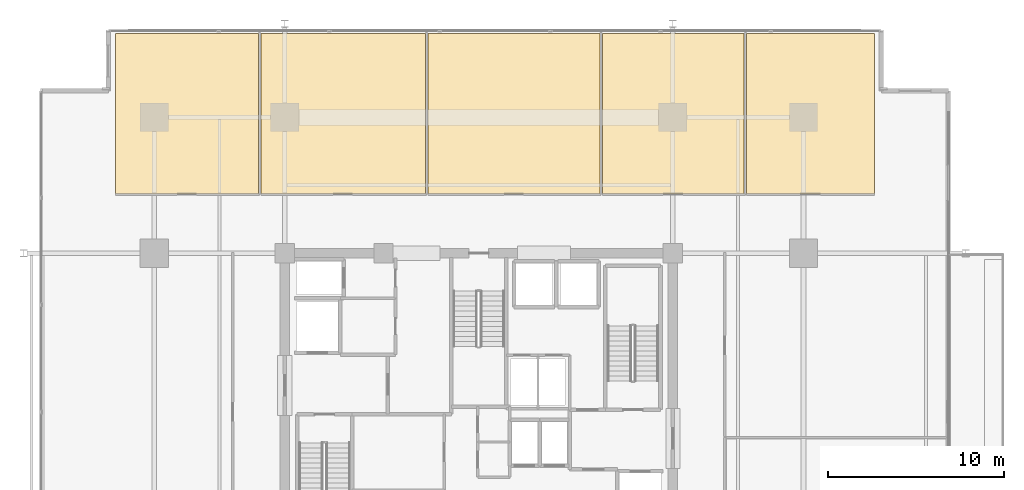
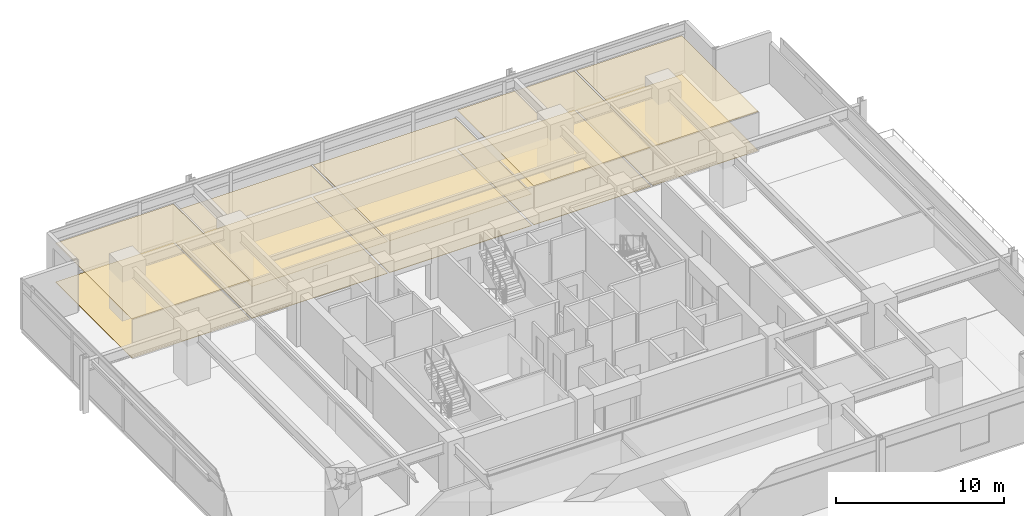
# One storey, part 22 of 22: 10 coverings.
"""IFC4 building model written with IfcOpenShell, lengths in metres."""

from ifc_helpers import new_model, si_unit, direction, frame, origin, place, context, subcontext, project, spatial, polyline, outline, extrude, material, layer, layer_set, type_object, element, save


model = new_model("IFC4")

# Units and contexts
model_context = context("Model", 3, precision=1e-05, world=origin(), true_north=direction((0.0, 1.0)))
body_context = subcontext(model_context, "Body", "Model", "MODEL_VIEW")
ifc_project = project(units=[si_unit("LENGTHUNIT", "METRE"), si_unit("AREAUNIT", "SQUARE_METRE"), si_unit("VOLUMEUNIT", "CUBIC_METRE"), si_unit("PLANEANGLEUNIT", "RADIAN"), si_unit("MASSUNIT", "GRAM", prefix="KILO")], contexts=[model_context])

# Site, building, storey
site_placement = place(None, origin())
site = spatial("IfcSite", under=ifc_project, at=site_placement, CompositionType="ELEMENT")
building_placement = place(site_placement, origin())
building = spatial("IfcBuilding", under=site, at=building_placement, Name="Kovane Verandah Tower", CompositionType="ELEMENT")
storey_placement = place(building_placement, frame((0.0, 0.0, 180.39990234375)))
storey = spatial("IfcBuildingStorey", under=building, at=storey_placement, Name="L42", CompositionType="ELEMENT", Elevation=180.39990234375)

# Coverings
ifc_material_1 = material(Name="Perforated Acoustic Mineral-Fibre Ceiling Tile", Category="gypsum")
ifc_layer_1 = layer(ifc_material_1, 0.02490234375)
ifc_layer_set_1 = layer_set([ifc_layer_1], Name="Perforated Acoustic Mineral-Fibre Ceiling Tile")
covering_type_1 = type_object("IfcCoveringType", Name="CV-CEIL-25", PredefinedType="CEILING", material=ifc_layer_set_1)
covering_1_placement = place(storey_placement, frame((0.0, 0.0, 2.8251953125)))
element("IfcCovering", 1, at=covering_1_placement, inside=storey, type_object=covering_type_1, Name="L42 Breakout Pantry N1 Acoustic Ceiling", PredefinedType="CEILING", context=body_context, shape_type="SweptSolid", body=[
    extrude(outline(polyline([(19.39990234375, 39.85009765625), (27.50390625, 39.85009765625), (27.50390625, 48.949951171875), (19.39990234375, 48.949951171875), (19.39990234375, 39.85009765625)])), origin(), (0.0, 0.0, 1.0), 0.02490234375),
])
covering_2_placement = place(storey_placement, frame((0.0, 0.0, 2.30517578125)))
element("IfcCovering", 2, at=covering_2_placement, inside=storey, type_object=covering_type_1, Name="L42 Collaboration Hub N2 Acoustic Ceiling", PredefinedType="CEILING", context=body_context, shape_type="SweptSolid", body=[
    extrude(outline(polyline([(27.643798828125, 39.85009765625), (36.96826171875, 39.85009765625), (36.96826171875, 48.949951171875), (27.643798828125, 48.949951171875), (27.643798828125, 39.85009765625)])), origin(), (0.0, 0.0, 1.0), 0.02490234375),
])
covering_3_placement = place(storey_placement, frame((0.0, 0.0, 2.30517578125)))
element("IfcCovering", 3, at=covering_3_placement, inside=storey, type_object=covering_type_1, Name="L42 Document and Print Room N3 Acoustic Ceiling", PredefinedType="CEILING", context=body_context, shape_type="SweptSolid", body=[
    extrude(outline(polyline([(37.108154296875, 39.85009765625), (46.86279296875, 39.85009765625), (46.86279296875, 48.949951171875), (37.108154296875, 48.949951171875), (37.108154296875, 39.85009765625)])), origin(), (0.0, 0.0, 1.0), 0.02490234375),
])
covering_4_placement = place(storey_placement, frame((0.0, 0.0, 2.8251953125)))
element("IfcCovering", 4, at=covering_4_placement, inside=storey, type_object=covering_type_1, Name="L42 Open Plan Office N4 Acoustic Ceiling", PredefinedType="CEILING", context=body_context, shape_type="SweptSolid", body=[
    extrude(outline(polyline([(47.002685546875, 39.85009765625), (55.03662109375, 39.85009765625), (55.03662109375, 48.949951171875), (47.002685546875, 48.949951171875), (47.002685546875, 39.85009765625)])), origin(), (0.0, 0.0, 1.0), 0.02490234375),
])
covering_5_placement = place(storey_placement, frame((0.0, 0.0, 2.8251953125)))
element("IfcCovering", 5, at=covering_5_placement, inside=storey, type_object=covering_type_1, Name="L42 Executive Office N5 Acoustic Ceiling", PredefinedType="CEILING", context=body_context, shape_type="SweptSolid", body=[
    extrude(outline(polyline([(55.176513671875, 39.85009765625), (62.419921875, 39.85009765625), (62.419921875, 48.949951171875), (55.176513671875, 48.949951171875), (55.176513671875, 39.85009765625)])), origin(), (0.0, 0.0, 1.0), 0.02490234375),
])
ifc_material_2 = material(Name="Polished Terrazzo and Raised-Access Carpet Tile Finish", Category="concrete")
ifc_layer_2 = layer(ifc_material_2, 0.030029296875)
ifc_layer_set_2 = layer_set([ifc_layer_2], Name="Polished Terrazzo and Raised-Access Carpet Tile Finish")
covering_type_2 = type_object("IfcCoveringType", Name="CV-FLOR-30", PredefinedType="FLOORING", material=ifc_layer_set_2)
covering_6_placement = place(storey_placement, origin())
element("IfcCovering", 6, at=covering_6_placement, inside=storey, type_object=covering_type_2, Name="L42 Breakout Pantry N1 Floor Finish", PredefinedType="FLOORING", context=body_context, shape_type="SweptSolid", body=[
    extrude(outline(polyline([(19.39990234375, 39.85009765625), (27.50390625, 39.85009765625), (27.50390625, 48.949951171875), (19.39990234375, 48.949951171875), (19.39990234375, 39.85009765625)])), origin(), (0.0, 0.0, 1.0), 0.030029296875),
])
covering_7_placement = place(storey_placement, origin())
element("IfcCovering", 7, at=covering_7_placement, inside=storey, type_object=covering_type_2, Name="L42 Collaboration Hub N2 Floor Finish", PredefinedType="FLOORING", context=body_context, shape_type="SweptSolid", body=[
    extrude(outline(polyline([(27.643798828125, 39.85009765625), (36.96826171875, 39.85009765625), (36.96826171875, 48.949951171875), (27.643798828125, 48.949951171875), (27.643798828125, 39.85009765625)])), origin(), (0.0, 0.0, 1.0), 0.030029296875),
])
covering_8_placement = place(storey_placement, origin())
element("IfcCovering", 8, at=covering_8_placement, inside=storey, type_object=covering_type_2, Name="L42 Document and Print Room N3 Floor Finish", PredefinedType="FLOORING", context=body_context, shape_type="SweptSolid", body=[
    extrude(outline(polyline([(37.108154296875, 39.85009765625), (46.86279296875, 39.85009765625), (46.86279296875, 48.949951171875), (37.108154296875, 48.949951171875), (37.108154296875, 39.85009765625)])), origin(), (0.0, 0.0, 1.0), 0.030029296875),
])
covering_9_placement = place(storey_placement, origin())
element("IfcCovering", 9, at=covering_9_placement, inside=storey, type_object=covering_type_2, Name="L42 Open Plan Office N4 Floor Finish", PredefinedType="FLOORING", context=body_context, shape_type="SweptSolid", body=[
    extrude(outline(polyline([(47.002685546875, 39.85009765625), (55.03662109375, 39.85009765625), (55.03662109375, 48.949951171875), (47.002685546875, 48.949951171875), (47.002685546875, 39.85009765625)])), origin(), (0.0, 0.0, 1.0), 0.030029296875),
])
covering_10_placement = place(storey_placement, origin())
element("IfcCovering", 10, at=covering_10_placement, inside=storey, type_object=covering_type_2, Name="L42 Executive Office N5 Floor Finish", PredefinedType="FLOORING", context=body_context, shape_type="SweptSolid", body=[
    extrude(outline(polyline([(55.176513671875, 39.85009765625), (62.419921875, 39.85009765625), (62.419921875, 48.949951171875), (55.176513671875, 48.949951171875), (55.176513671875, 39.85009765625)])), origin(), (0.0, 0.0, 1.0), 0.030029296875),
])

save(model, "model.ifc")
